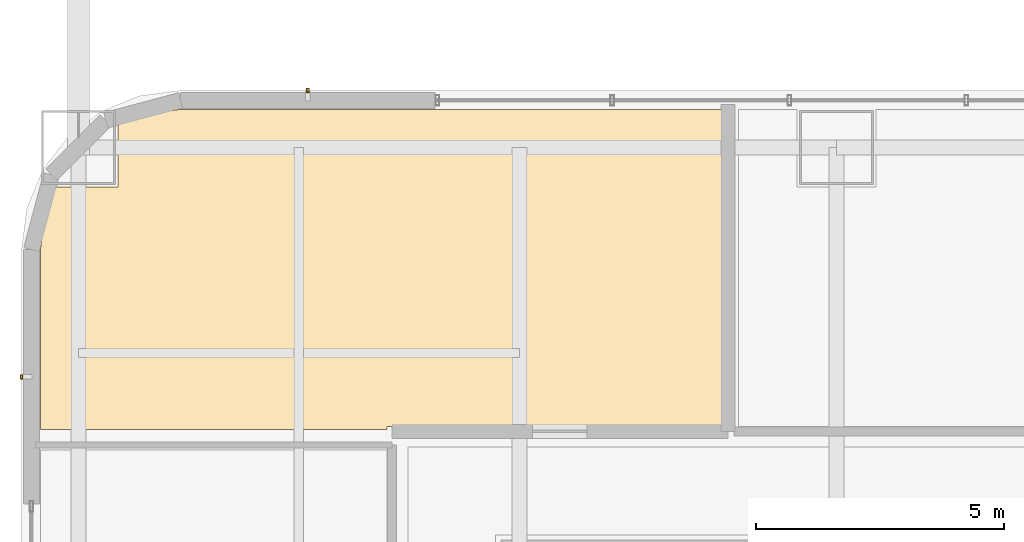
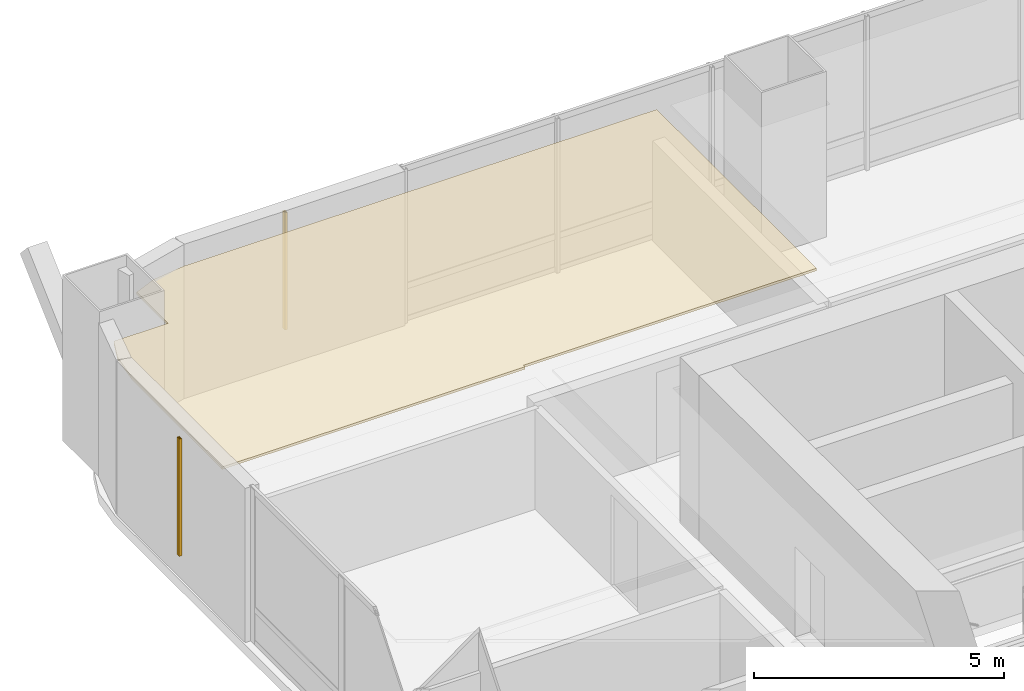
# One storey, part 40 of 42: 2 shading devices, 1 covering.
"""IFC4 building model written with IfcOpenShell, lengths in metres."""

from ifc_helpers import new_model, si_unit, direction, frame, origin, origin_2d, place, context, subcontext, project, spatial, polyline, hollow_rectangle, outline, extrude, material, layer, layer_set, material_profile, profile_set, type_object, element, save


model = new_model("IFC4")

# Units and contexts
model_context = context("Model", 3, precision=1e-05, world=origin(), true_north=direction((0.0, 1.0)))
body_context = subcontext(model_context, "Body", "Model", "MODEL_VIEW")
ifc_project = project(units=[si_unit("LENGTHUNIT", "METRE"), si_unit("AREAUNIT", "SQUARE_METRE"), si_unit("VOLUMEUNIT", "CUBIC_METRE"), si_unit("PLANEANGLEUNIT", "RADIAN"), si_unit("MASSUNIT", "GRAM", prefix="KILO")], contexts=[model_context])

# Site, building, storey
site_placement = place(None, origin())
site = spatial("IfcSite", under=ifc_project, at=site_placement, CompositionType="ELEMENT")
building_placement = place(site_placement, origin())
building = spatial("IfcBuilding", under=site, at=building_placement, Name="Punatoya Terracotta Tower", CompositionType="ELEMENT")
storey_placement = place(building_placement, frame((0.0, 0.0, 88.949951171875)))
storey = spatial("IfcBuildingStorey", under=building, at=storey_placement, Name="L20", CompositionType="ELEMENT", Elevation=88.949951171875)

# Covering
ifc_material_1 = material(Name="Acoustic Mineral Fibre Ceiling")
ifc_layer = layer(ifc_material_1, 0.06005859375)
ifc_layer_set = layer_set([ifc_layer], Name="Acoustic Mineral Fibre Ceiling")
covering_type = type_object("IfcCoveringType", Name="COV-CEIL-60", PredefinedType="CEILING", material=ifc_layer_set)
covering_placement = place(storey_placement, frame((0.0, 0.0, 3.199951171875)))
element("IfcCovering", 1, at=covering_placement, inside=storey, type_object=covering_type, Name="L20 Open-Plan Fitness Movement Lounge Acoustic Ceiling", PredefinedType="CEILING", context=body_context, shape_type="SweptSolid", body=[
    extrude(outline(polyline([(-17.025146484375, 18.27001953125), (-17.779052734375, 18.1708984375), (-18.300048828125, 17.955078125), (-18.300048828125, 16.699951171875), (-19.554931640625, 16.699951171875), (-19.770751953125, 16.178955078125), (-19.8701171875, 15.425048828125), (-19.8701171875, 11.81005859375), (-12.8701171875, 11.81005859375), (-12.8701171875, 11.8701171875), (-6.093994140625, 11.8701171875), (-6.093994140625, 18.27001953125), (-17.025146484375, 18.27001953125)])), origin(), (0.0, 0.0, 1.0), 0.06005859375),
])

# Shading devices
ifc_material_2 = material(Name="Architectural Fired Terracotta", Category="masonry")
ifc_material_profile = material_profile(ifc_material_2, hollow_rectangle(XDim=0.06005859375, YDim=0.090087890625, WallThickness=0.013916015625, at=origin_2d()))
ifc_profile_set = profile_set([ifc_material_profile], Name="Architectural Fired Terracotta")
shading_device_type = type_object("IfcShadingDeviceType", Name="SHD-JALI-90", PredefinedType="JALOUSIE", material=ifc_profile_set)
for number, where, z_axis, x_axis, name in (
    (2, (-14.468505859375, 18.64990234375, 0.60009765625), (0.0, 0.0, 1.0), (1.0, 0.0, 0.0), "L20 Braced Bay Terracotta Jali Fin N2"),
    (3, (-20.25, 12.868408203125, 0.60009765625), (0.0, 0.0, 1.0), (1.0, 0.0, 0.0), "L20 Braced Bay Terracotta Jali Fin W1"),
):
    element("IfcShadingDevice", number, at=place(storey_placement, frame(where, z_axis=z_axis, x_axis=x_axis)), inside=storey, type_object=shading_device_type, Name=name, PredefinedType="JALOUSIE", context=body_context, shape_type="SweptSolid", body=[
        extrude(hollow_rectangle(XDim=0.06005859375, YDim=0.090087890625, WallThickness=0.013916015625, at=origin_2d()), origin(), (0.0, 0.0, 1.0), 2.869873046875),
    ])

save(model, "model.ifc")
